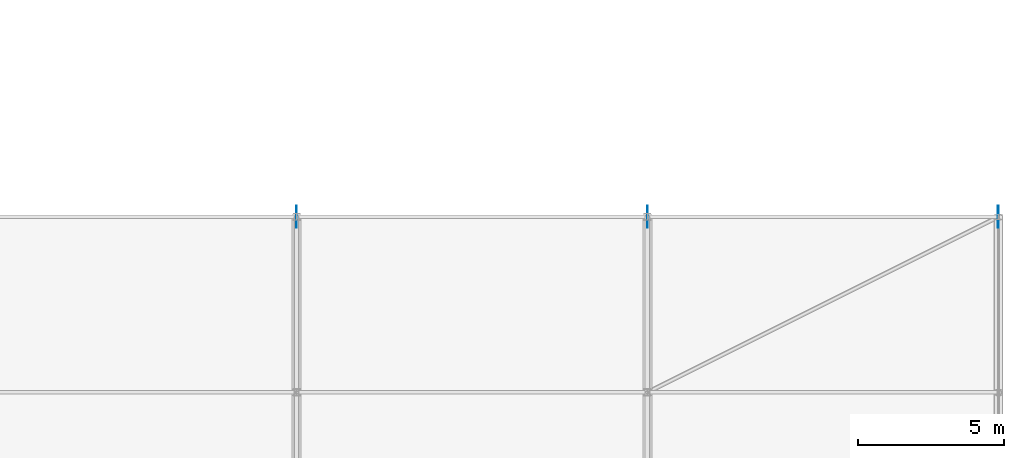
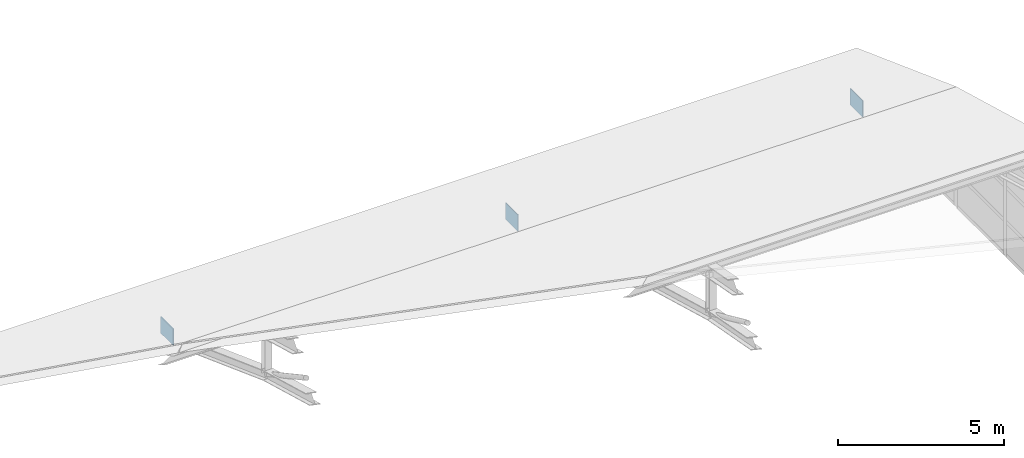
# One storey, part 185 of 204: 3 plates.
"""IFC4 building model written with IfcOpenShell, lengths in metres."""

from ifc_helpers import new_model, si_unit, direction, frame, origin, origin_2d, place, context, subcontext, project, spatial, rectangle, extrude, material, layer, layer_set, type_object, element, save


model = new_model("IFC4")

# Units and contexts
model_context = context("Model", 3, precision=1e-05, world=origin(), true_north=direction((0.0, 1.0)))
body_context = subcontext(model_context, "Body", "Model", "MODEL_VIEW")
ifc_project = project(units=[si_unit("LENGTHUNIT", "METRE"), si_unit("AREAUNIT", "SQUARE_METRE"), si_unit("VOLUMEUNIT", "CUBIC_METRE"), si_unit("PLANEANGLEUNIT", "RADIAN"), si_unit("MASSUNIT", "GRAM", prefix="KILO")], contexts=[model_context])

# Site, building, storey
site_placement = place(None, origin())
site = spatial("IfcSite", under=ifc_project, at=site_placement, CompositionType="ELEMENT")
building_placement = place(site_placement, origin())
building = spatial("IfcBuilding", under=site, at=building_placement, Name="Zilviju Railside Exhibition Hall", CompositionType="ELEMENT")
storey_placement = place(building_placement, frame((0.0, 0.0, 21.0)))
storey = spatial("IfcBuildingStorey", under=building, at=storey_placement, Name="RF", CompositionType="ELEMENT", Elevation=21.0)

# Plates
ifc_material = material(Name="Steel S355ML", Category="steel")
ifc_layer = layer(ifc_material, 0.031982421875)
ifc_layer_set = layer_set([ifc_layer], Name="Steel S355ML")
plate_type = type_object("IfcPlateType", Name="PLATE-GP-32", PredefinedType="SHEET", material=ifc_layer_set)
for number, where, z_axis, x_axis, name in (
    (1, (192.0, 54.0, -7.949951171875), (0.0, 0.0, 1.0), (1.0, 0.0, 0.0), "V1 Arch Pin-Shoe Gusset Plate X=192.0"),
    (2, (204.0, 54.0, -7.949951171875), (0.0, 0.0, 1.0), (1.0, 0.0, 0.0), "V1 Arch Pin-Shoe Gusset Plate X=204.0"),
    (3, (216.0, 54.0, -7.949951171875), (0.0, 0.0, 1.0), (1.0, 0.0, 0.0), "V1 Arch Pin-Shoe Gusset Plate X=216.0"),
):
    element("IfcPlate", number, at=place(storey_placement, frame(where, z_axis=z_axis, x_axis=x_axis)), inside=storey, type_object=plate_type, Name=name, PredefinedType="SHEET", context=body_context, shape_type="SweptSolid", body=[
        extrude(rectangle(XDim=0.031982421875, YDim=0.75, at=origin_2d()), origin(), (0.0, 0.0, 1.0), 0.60009765625),
    ])

save(model, "model.ifc")
